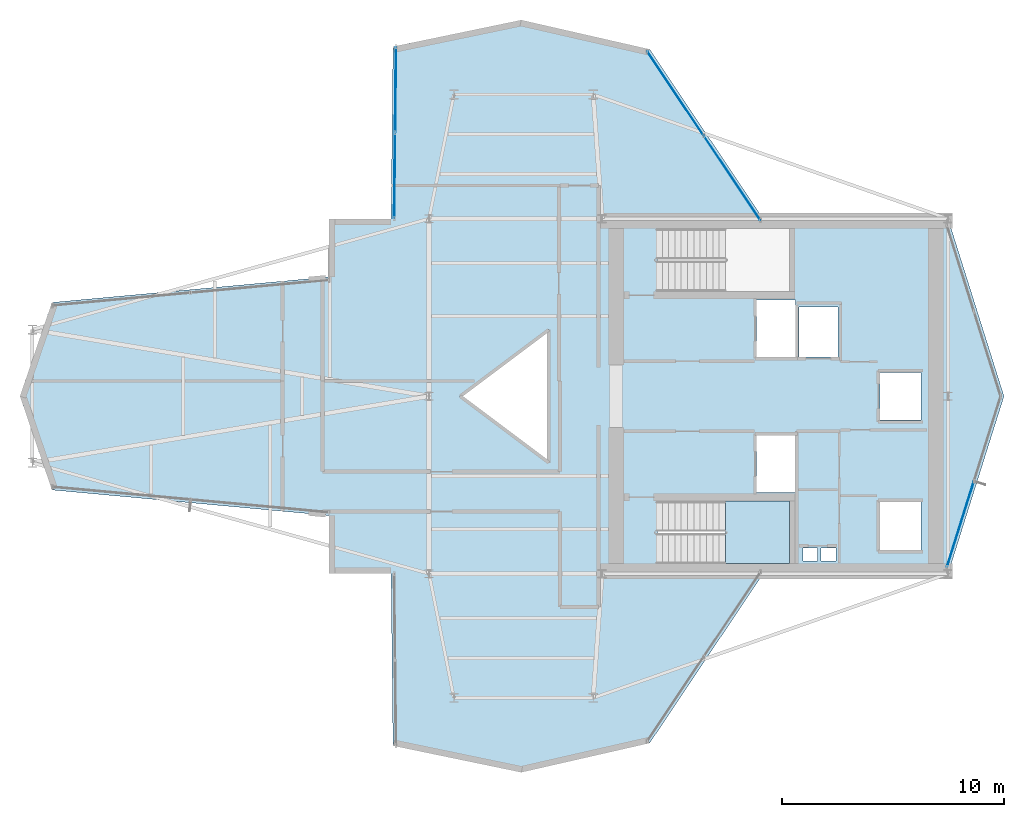
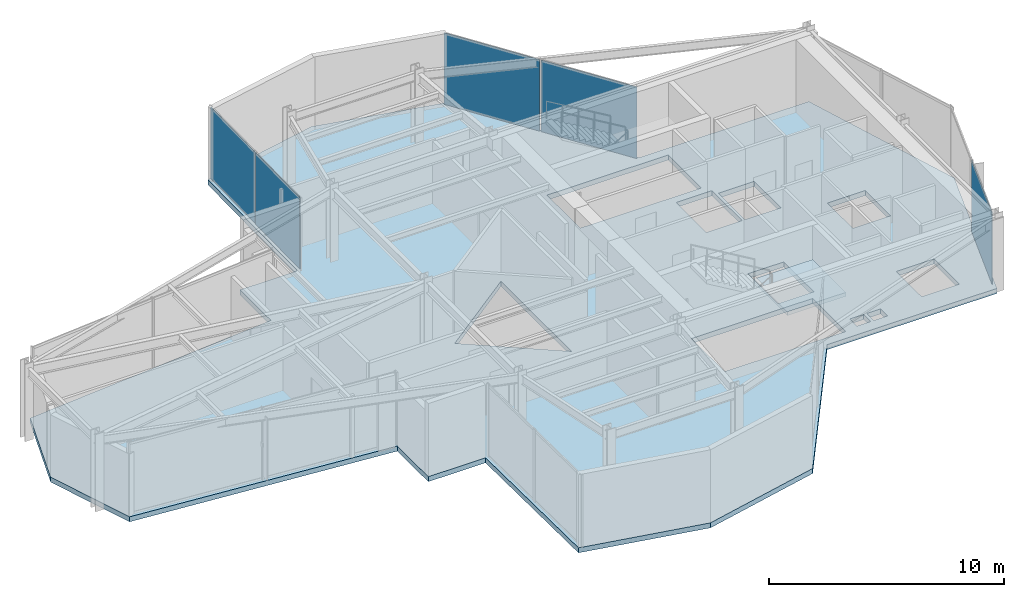
# One storey, part 18 of 22: 5 plates, 2 slabs, 4 elements without a shape of their own.
"""IFC4 building model written with IfcOpenShell, lengths in metres."""

from ifc_helpers import new_model, si_unit, direction, frame, origin, origin_2d, place, context, subcontext, project, spatial, polyline, rectangle, outline, extrude, material, layer, layer_set, type_object, element, aggregate, save


model = new_model("IFC4")

# Units and contexts
model_context = context("Model", 3, precision=1e-05, world=origin(), true_north=direction((0.0, 1.0)))
body_context = subcontext(model_context, "Body", "Model", "MODEL_VIEW")
ifc_project = project(units=[si_unit("LENGTHUNIT", "METRE"), si_unit("AREAUNIT", "SQUARE_METRE"), si_unit("VOLUMEUNIT", "CUBIC_METRE"), si_unit("PLANEANGLEUNIT", "RADIAN"), si_unit("MASSUNIT", "GRAM", prefix="KILO")], contexts=[model_context])

# Site, building, storey
site_placement = place(None, origin())
site = spatial("IfcSite", under=ifc_project, at=site_placement, CompositionType="ELEMENT")
building_placement = place(site_placement, origin())
building = spatial("IfcBuilding", under=site, at=building_placement, Name="Veymaron Broadcast Tower", CompositionType="ELEMENT")
storey_placement = place(building_placement, frame((0.0, 0.0, 204.0)))
storey = spatial("IfcBuildingStorey", under=building, at=storey_placement, Name="L47", CompositionType="ELEMENT", Elevation=204.0)

# Curtain wall, plate
ifc_material_1 = material(Name="Anodised aluminium AA 6063-T6 and laminated low-E dark glass", Category="aluminium")
ifc_layer_1 = layer(ifc_material_1, 0.179931640625)
ifc_layer_set_1 = layer_set([ifc_layer_1], Name="Anodised aluminium AA 6063-T6 and laminated low-E dark glass")
curtain_wall_type = type_object("IfcCurtainWallType", Name="CW-SYS-05", PredefinedType="NOTDEFINED", material=ifc_layer_set_1)
curtain_wall_1_placement = place(storey_placement, origin())
curtain_wall_1 = element("IfcCurtainWall", 1, at=curtain_wall_1_placement, inside=storey, type_object=curtain_wall_type, Name="L47 dark-glass curtain wall CW-L47-E2-1", PredefinedType="NOTDEFINED")
ifc_material_2 = material(Name="Double-silver solar-control dark glass IGU 32 mm", Category="glass")
ifc_layer_2 = layer(ifc_material_2, 0.031982421875)
ifc_layer_set_2 = layer_set([ifc_layer_2], Name="Double-silver solar-control dark glass IGU 32 mm")
plate_type = type_object("IfcPlateType", Name="CW-PNL-02", PredefinedType="CURTAIN_PANEL", material=ifc_layer_set_2)
plate_1_placement = place(storey_placement, frame((55.154296875, 18.225341796875, 0.0400390625), z_axis=(0.0, 0.0, 1.0), x_axis=(0.300456106688, 0.953795642658, 0.0)))
plate_1 = element("IfcPlate", 2, at=plate_1_placement, type_object=plate_type, Name="CW-L47-E2-1 unitised curtain panel 0", PredefinedType="CURTAIN_PANEL", context=body_context, shape_type="SweptSolid", body=[
    extrude(rectangle(XDim=4.005615234375, YDim=0.031982421875, at=origin_2d()), origin(), (0.0, 0.0, 1.0), 3.7099609375),
])
aggregate(curtain_wall_1, [plate_1])

# Curtain wall, plates
curtain_wall_2_placement = place(storey_placement, origin())
curtain_wall_2 = element("IfcCurtainWall", 3, at=curtain_wall_2_placement, inside=storey, type_object=curtain_wall_type, Name="L47 dark-glass curtain wall CW-L47-E5-1", PredefinedType="NOTDEFINED")
plate_2_placement = place(storey_placement, frame((44.867919921875, 33.83203125, 0.0400390625), z_axis=(0.0, 0.0, 1.0), x_axis=(-0.556658147909, 0.830741660426, 0.0)))
plate_2 = element("IfcPlate", 4, at=plate_2_placement, type_object=plate_type, Name="CW-L47-E5-1 unitised curtain panel 0", PredefinedType="CURTAIN_PANEL", context=body_context, shape_type="SweptSolid", body=[
    extrude(rectangle(XDim=4.538330078125, YDim=0.031982421875, at=origin_2d()), origin(), (0.0, 0.0, 1.0), 3.7099609375),
])
plate_3_placement = place(storey_placement, frame((42.30810546875, 37.652099609375, 0.0400390625), z_axis=(0.0, 0.0, 1.0), x_axis=(-0.556658147909, 0.830741660426, 0.0)))
plate_3 = element("IfcPlate", 5, at=plate_3_placement, type_object=plate_type, Name="CW-L47-E5-1 unitised curtain panel 1", PredefinedType="CURTAIN_PANEL", context=body_context, shape_type="SweptSolid", body=[
    extrude(rectangle(XDim=4.538330078125, YDim=0.031982421875, at=origin_2d()), origin(), (0.0, 0.0, 1.0), 3.7099609375),
])
aggregate(curtain_wall_2, [plate_2, plate_3])

curtain_wall_3_placement = place(storey_placement, origin())
curtain_wall_3 = element("IfcCurtainWall", 6, at=curtain_wall_3_placement, inside=storey, type_object=curtain_wall_type, Name="L47 dark-glass curtain wall CW-L47-E8-1", PredefinedType="NOTDEFINED")
plate_4_placement = place(storey_placement, frame((29.69384765625, 37.818359375, 0.0400390625), z_axis=(0.0, 0.0, 1.0), x_axis=(-0.011152422724, -0.9999378098, 0.0)))
plate_4 = element("IfcPlate", 7, at=plate_4_placement, type_object=plate_type, Name="CW-L47-E8-1 unitised curtain panel 0", PredefinedType="CURTAIN_PANEL", context=body_context, shape_type="SweptSolid", body=[
    extrude(rectangle(XDim=3.8203125, YDim=0.031982421875, at=origin_2d()), origin(), (0.0, 0.0, 1.0), 3.7099609375),
])
plate_5_placement = place(storey_placement, frame((29.650634765625, 33.9384765625, 0.0400390625), z_axis=(0.0, 0.0, 1.0), x_axis=(-0.011152422724, -0.9999378098, 0.0)))
plate_5 = element("IfcPlate", 8, at=plate_5_placement, type_object=plate_type, Name="CW-L47-E8-1 unitised curtain panel 1", PredefinedType="CURTAIN_PANEL", context=body_context, shape_type="SweptSolid", body=[
    extrude(rectangle(XDim=3.8203125, YDim=0.031982421875, at=origin_2d()), origin(), (0.0, 0.0, 1.0), 3.7099609375),
])
aggregate(curtain_wall_3, [plate_4, plate_5])

# Slab
ifc_material_3 = material(Name="Concrete C40/50", Category="concrete")
ifc_layer_3 = layer(ifc_material_3, 0.260009765625)
ifc_layer_set_3 = layer_set([ifc_layer_3], Name="Concrete C40/50")
slab_type_1 = type_object("IfcSlabType", Name="SLAB-FS5", PredefinedType="FLOOR", material=ifc_layer_set_3)
slab_1_placement = place(storey_placement, frame((0.0, 0.0, -0.260009765625)))
element("IfcSlab", 9, at=slab_1_placement, inside=storey, type_object=slab_type_1, Name="L47 structural floor slab", PredefinedType="FLOOR", context=body_context, shape_type="SweptSolid", body=[
    extrude(outline(polyline([(46.263916015625, 16.0), (54.60009765625, 16.0), (57.1201171875, 24.0), (54.60009765625, 32.0), (46.263916015625, 32.0), (41.14453125, 39.639892578125), (35.360107421875, 40.9599609375), (29.575439453125, 39.760009765625), (29.489013671875, 32.0), (26.679931640625, 32.0), (26.679931640625, 29.377685546875), (14.199951171875, 28.22705078125), (12.760009765625, 24.0), (14.199951171875, 19.77294921875), (26.679931640625, 18.622314453125), (26.679931640625, 16.0), (29.489013671875, 16.0), (29.575439453125, 8.239990234375), (35.360107421875, 7.0400390625), (41.14453125, 8.360107421875), (46.263916015625, 16.0)]), holes=[polyline([(45.969970703125, 28.330078125), (47.72998046875, 28.330078125), (47.72998046875, 25.77001953125), (45.969970703125, 25.77001953125), (45.969970703125, 28.330078125)]), polyline([(45.969970703125, 22.22998046875), (47.72998046875, 22.22998046875), (47.72998046875, 19.669921875), (45.969970703125, 19.669921875), (45.969970703125, 22.22998046875)]), polyline([(47.8701171875, 28.030029296875), (49.6298828125, 28.030029296875), (49.6298828125, 25.77001953125), (47.8701171875, 25.77001953125), (47.8701171875, 28.030029296875)]), polyline([(51.52001953125, 25.080078125), (53.3798828125, 25.080078125), (53.3798828125, 22.919921875), (51.52001953125, 22.919921875), (51.52001953125, 25.080078125)]), polyline([(51.52001953125, 19.22998046875), (53.3798828125, 19.22998046875), (53.3798828125, 17.070068359375), (51.52001953125, 17.070068359375), (51.52001953125, 19.22998046875)]), polyline([(48.050048828125, 17.159912109375), (48.719970703125, 17.159912109375), (48.719970703125, 16.56005859375), (48.050048828125, 16.56005859375), (48.050048828125, 17.159912109375)]), polyline([(48.8798828125, 17.159912109375), (49.550048828125, 17.159912109375), (49.550048828125, 16.56005859375), (48.8798828125, 16.56005859375), (48.8798828125, 17.159912109375)]), polyline([(36.60009765625, 27.0), (36.60009765625, 21.0), (32.60009765625, 24.0), (36.60009765625, 27.0)]), polyline([(41.489990234375, 31.550048828125), (47.43994140625, 31.550048828125), (47.43994140625, 28.72998046875), (41.489990234375, 28.72998046875), (41.489990234375, 31.550048828125)]), polyline([(41.489990234375, 19.27001953125), (47.43994140625, 19.27001953125), (47.43994140625, 16.449951171875), (41.489990234375, 16.449951171875), (41.489990234375, 19.27001953125)])]), origin(), (0.0, 0.0, 1.0), 0.260009765625),
])

# Stair, slab
ifc_material_4 = material(Name="Concrete C50/60", Category="concrete")
stair_type = type_object("IfcStairType", Name="STAIR-CORE-2", PredefinedType="HALF_TURN_STAIR", material=ifc_material_4)
stair_placement = place(storey_placement, origin())
stair = element("IfcStair", 10, at=stair_placement, inside=storey, type_object=stair_type, Name="L47 South protected dog-leg exit stair ST2", PredefinedType="HALF_TURN_STAIR")
ifc_layer_4 = layer(ifc_material_4, 0.199951171875)
ifc_layer_set_4 = layer_set([ifc_layer_4], Name="Concrete C50/60")
slab_type_2 = type_object("IfcSlabType", Name="SLAB-STAIR-LDG", PredefinedType="LANDING", material=ifc_layer_set_4)
slab_2_placement = place(storey_placement, frame((0.0, 0.0, 1.824951171875)))
slab_2 = element("IfcSlab", 11, at=slab_2_placement, type_object=slab_type_2, Name="ST2 landing 1", PredefinedType="LANDING", context=body_context, shape_type="SweptSolid", body=[
    extrude(outline(polyline([(44.56494140625, 16.449951171875), (47.43994140625, 16.449951171875), (47.43994140625, 19.27001953125), (44.56494140625, 19.27001953125), (44.56494140625, 16.449951171875)])), origin(), (0.0, 0.0, 1.0), 0.199951171875),
])
aggregate(stair, [slab_2])

save(model, "model.ifc")
